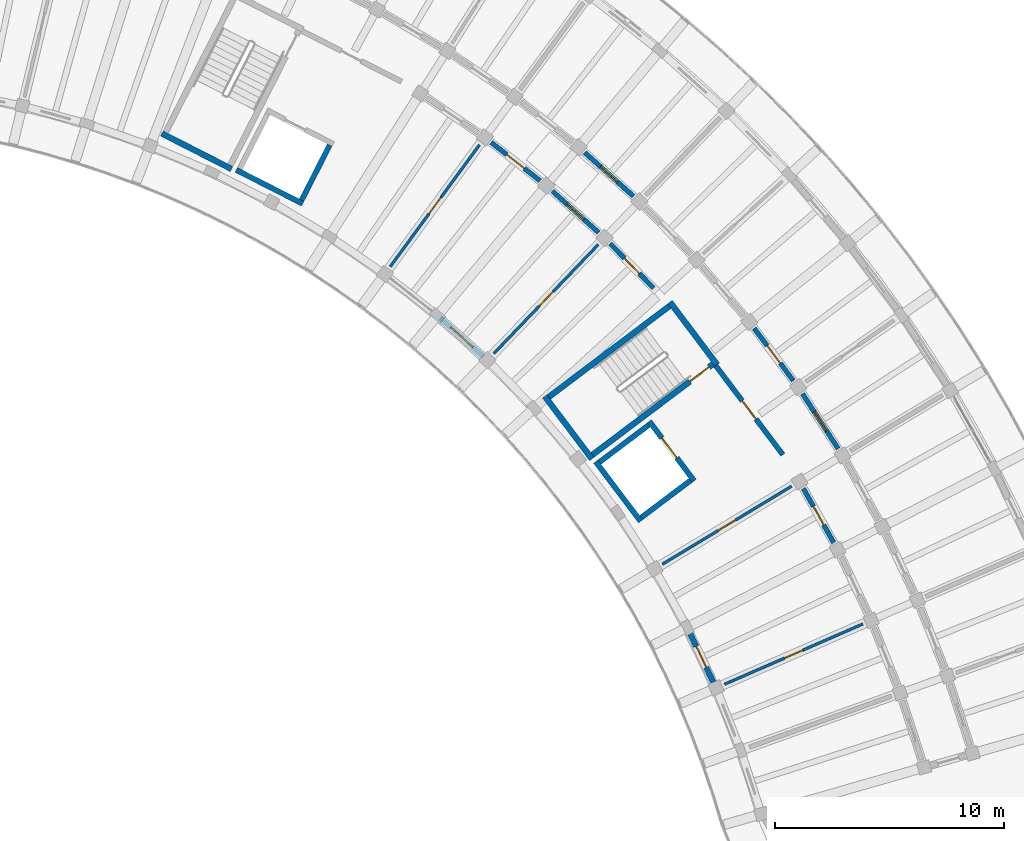
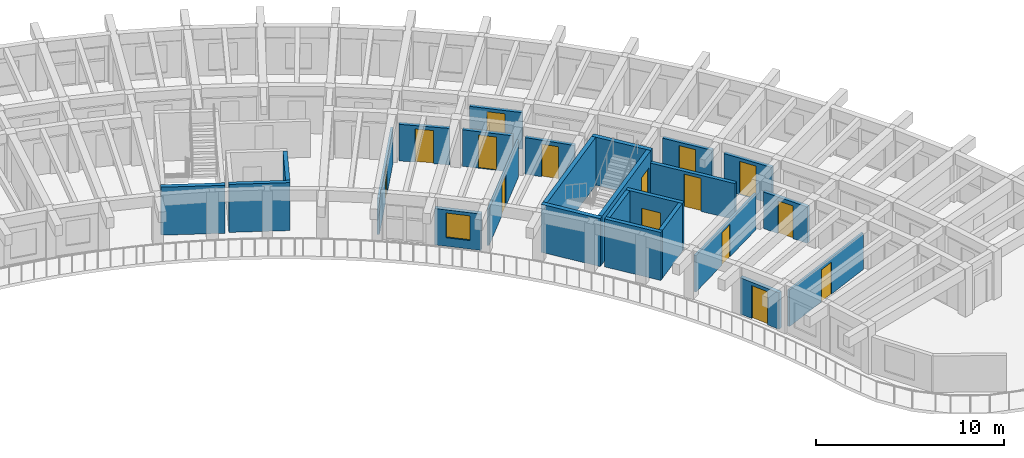
# One storey, part 70 of 96: 25 walls, 15 doors, 1 window, 16 openings.
"""IFC4 building model written with IfcOpenShell, lengths in metres."""

import ifcopenshell
import ifcopenshell.guid

model = None  # the IFC model being written
_history = None  # IfcOwnerHistory: only IFC2X3 demands one
_inside = {}  # id of a spatial element -> (the spatial element, [elements in it])
_under = {}  # id of a project, library or spatial element -> (it, [spatial elements below it])
_declared = {}  # id of a project -> (the project, [libraries it declares])
_typed = {}  # id of a type object -> (the type object, [elements of that type])
_made_of = {}  # id of a material, layer set ... -> (it, [elements and type objects made of it])


def new_model(schema):
    """Start an empty IFC model of exactly this schema.

    Asked for "IFC4X3", IfcOpenShell would pick the latest addendum, in which some entities
    have other attributes; the version numbers below select the first issue.
    IFC2X3 requires an IfcOwnerHistory on every rooted entity: one is made here for all.
    """
    global model, _history
    if schema == "IFC4X3":
        model = ifcopenshell.file(schema_version=(4, 3, 0, 0))
    else:
        model = ifcopenshell.file(schema=schema)
    _inside.clear()
    _under.clear()
    _declared.clear()
    _typed.clear()
    _made_of.clear()
    _history = None
    if model.schema == "IFC2X3":
        org = make("IfcOrganization", Name="unknown")
        user = make(
            "IfcPersonAndOrganization",
            ThePerson=make("IfcPerson", FamilyName="unknown"),
            TheOrganization=org,
        )
        app = make(
            "IfcApplication",
            ApplicationDeveloper=org,
            Version="unknown",
            ApplicationFullName="unknown",
            ApplicationIdentifier="unknown",
        )
        _history = make(
            "IfcOwnerHistory",
            OwningUser=user,
            OwningApplication=app,
            ChangeAction="ADDED",
            CreationDate=0,
        )
    return model


def make(cls, **values):
    """One entity of the class cls with the attributes given. An attribute that is None is left unset."""
    return model.create_entity(
        cls, **{name: value for name, value in values.items() if value is not None}
    )


def rooted(cls, **values):
    """An entity with a GlobalId (a new one), such as an element, a storey or a relation."""
    return make(cls, GlobalId=ifcopenshell.guid.new(), OwnerHistory=_history, **values)


def si_unit(unit_type, name, prefix=None):
    """IfcSIUnit, for example si_unit("LENGTHUNIT", "METRE", prefix="MILLI")."""
    return make("IfcSIUnit", UnitType=unit_type, Prefix=prefix, Name=name)


def assignment(units):
    """IfcUnitAssignment: the units of a project."""
    return None if units is None else make("IfcUnitAssignment", Units=units)


def point(xyz):
    """IfcCartesianPoint."""
    return None if xyz is None else make("IfcCartesianPoint", Coordinates=xyz)


def direction(xyz):
    """IfcDirection."""
    return None if xyz is None else make("IfcDirection", DirectionRatios=xyz)


def frame(location, z_axis=None, x_axis=None):
    """IfcAxis2Placement3D, a coordinate frame: its origin and axes. An axis left out is left unset."""
    return make(
        "IfcAxis2Placement3D",
        Location=point(location),
        Axis=direction(z_axis),
        RefDirection=direction(x_axis),
    )


def frame_2d(location, x_axis=None):
    """IfcAxis2Placement2D, a coordinate frame in the plane: its origin and x axis."""
    return make(
        "IfcAxis2Placement2D", Location=point(location), RefDirection=direction(x_axis)
    )


def origin():
    """The frame at (0, 0, 0) with its axes left unset."""
    return frame((0.0, 0.0, 0.0))


def place(relative_to, where):
    """IfcLocalPlacement: puts the frame where relative to a parent placement (None: the world)."""
    return make(
        "IfcLocalPlacement", PlacementRelTo=relative_to, RelativePlacement=where
    )


def context(
    kind, dimensions, precision=None, world=None, true_north=None, identifier=None
):
    """IfcGeometricRepresentationContext, for example the 3D "Model" context."""
    return make(
        "IfcGeometricRepresentationContext",
        ContextIdentifier=identifier,
        ContextType=kind,
        CoordinateSpaceDimension=dimensions,
        Precision=precision,
        WorldCoordinateSystem=world,
        TrueNorth=true_north,
    )


def subcontext(parent, identifier, kind, view, scale=None):
    """IfcGeometricRepresentationSubContext, for example "Body" below "Model"."""
    return make(
        "IfcGeometricRepresentationSubContext",
        ContextIdentifier=identifier,
        ContextType=kind,
        ParentContext=parent,
        TargetScale=scale,
        TargetView=view,
    )


def project(units=None, contexts=None):
    """IfcProject with its units and contexts."""
    return rooted(
        "IfcProject",
        Name="project",
        RepresentationContexts=contexts,
        UnitsInContext=assignment(units),
    )


def spatial(cls, under=None, at=None, **own):
    """A site, building, storey or space (cls), placed at a placement, below another one or the project."""
    s = rooted(cls, ObjectPlacement=at, **own)
    if under is not None:
        _under.setdefault(under.id(), (under, []))[1].append(s)
    return s


def profile(cls, at=None, kind="AREA", **sizes):
    """A parametric profile (cls). Its sizes go by their IFC names, for example OverallWidth=200.0."""
    return make(cls, ProfileType=kind, Position=at, **sizes)


def rectangle(**sizes):
    """IfcRectangleProfileDef."""
    return profile("IfcRectangleProfileDef", **sizes)


def extrude(swept, where, along, depth):
    """IfcExtrudedAreaSolid: the profile swept, set in the frame where, extruded along a direction by depth."""
    return make(
        "IfcExtrudedAreaSolid",
        SweptArea=swept,
        Position=where,
        ExtrudedDirection=direction(along),
        Depth=depth,
    )


def shape(context_of_items, identifier, shape_type, items):
    """IfcShapeRepresentation: the items that make up one representation, for example the "Body"."""
    return make(
        "IfcShapeRepresentation",
        ContextOfItems=context_of_items,
        RepresentationIdentifier=identifier,
        RepresentationType=shape_type,
        Items=items,
    )


def material(Name=None, Category=None):
    """IfcMaterial."""
    return make("IfcMaterial", Name=Name, Category=Category)


def layer(
    of_material, thickness, ventilated=None, Name=None, Category=None, Priority=None
):
    """IfcMaterialLayer: one layer of a wall or slab, of a material (None: an air gap)."""
    return make(
        "IfcMaterialLayer",
        Material=of_material,
        LayerThickness=thickness,
        IsVentilated=ventilated,
        Name=Name,
        Category=Category,
        Priority=Priority,
    )


def layer_set(layers, Name=None):
    """IfcMaterialLayerSet."""
    return make("IfcMaterialLayerSet", MaterialLayers=layers, LayerSetName=Name)


def made_of(thing, what):
    """Note that an element or type object is made of a material, layer set ...; save() writes the relation."""
    if what is not None:
        _made_of.setdefault(what.id(), (what, []))[1].append(thing)
    return thing


def type_object(cls, material=None, **own):
    """A type object (cls), such as IfcWallType, which elements share."""
    return made_of(rooted(cls, **own), material)


def element(
    cls,
    number,
    at=None,
    inside=None,
    cuts=None,
    type_object=None,
    material=None,
    context=None,
    identifier="Body",
    shape_type=None,
    held_by="IfcProductDefinitionShape",
    body=None,
    shapes=None,
    **own,
):
    """One element of the class cls, such as IfcWall. Its Tag is "e" and its number.

    at: its placement. inside: the storey or other place that contains it. cuts: it is an
    opening in that element (IfcRelVoidsElement). A single representation is given by context,
    identifier, shape_type and body (its items); several are given by shapes. held_by: the class
    of the entity that holds the representations. save() writes the other relations.
    """
    e = rooted(cls, Tag="e%d" % number, ObjectPlacement=at, **own)
    if body is not None:
        shapes = [shape(context, identifier, shape_type, body)]
    if shapes is not None:
        e.Representation = make(held_by, Representations=shapes)
    if inside is not None:
        _inside.setdefault(inside.id(), (inside, []))[1].append(e)
    if cuts is not None:
        rooted(
            "IfcRelVoidsElement", RelatingBuildingElement=cuts, RelatedOpeningElement=e
        )
    if type_object is not None:
        _typed.setdefault(type_object.id(), (type_object, []))[1].append(e)
    return made_of(e, material)


def fill(opening, filler):
    """IfcRelFillsElement: the door or window that sits in an opening."""
    return rooted(
        "IfcRelFillsElement",
        RelatingOpeningElement=opening,
        RelatedBuildingElement=filler,
    )


def aggregate(whole, parts):
    """IfcRelAggregates: a whole, such as a stair, and the parts it consists of."""
    return rooted("IfcRelAggregates", RelatingObject=whole, RelatedObjects=parts)


def save(model, path):
    """Write the relations noted so far, then the file.

    IfcRelAggregates (storeys below a building ...), IfcRelContainedInSpatialStructure (elements
    in a storey), IfcRelDefinesByType, IfcRelAssociatesMaterial and IfcRelDeclares: one each for
    every whole, place, type object, material and project.
    """
    for whole, parts in _under.values():
        aggregate(whole, parts)
    for where, things in _inside.values():
        rooted(
            "IfcRelContainedInSpatialStructure",
            RelatedElements=things,
            RelatingStructure=where,
        )
    for kind, things in _typed.values():
        rooted("IfcRelDefinesByType", RelatedObjects=things, RelatingType=kind)
    for what, things in _made_of.values():
        rooted("IfcRelAssociatesMaterial", RelatedObjects=things, RelatingMaterial=what)
    for by, libraries in _declared.values():
        rooted("IfcRelDeclares", RelatingContext=by, RelatedDefinitions=libraries)
    model.write(path)


model = new_model("IFC4")

# Units and contexts
model_context = context("Model", 3, precision=1e-05, world=origin(), true_north=direction((0.0, 1.0)))
body_context = subcontext(model_context, "Body", "Model", "MODEL_VIEW")
ifc_project = project(units=[si_unit("LENGTHUNIT", "METRE"), si_unit("AREAUNIT", "SQUARE_METRE"), si_unit("VOLUMEUNIT", "CUBIC_METRE"), si_unit("PLANEANGLEUNIT", "RADIAN"), si_unit("MASSUNIT", "GRAM", prefix="KILO")], contexts=[model_context])

# Site, building, storey
site_placement = place(None, origin())
site = spatial("IfcSite", under=ifc_project, at=site_placement, CompositionType="ELEMENT")
building_placement = place(site_placement, origin())
building = spatial("IfcBuilding", under=site, at=building_placement, Name="Tanwirah Colonnade Gardens", CompositionType="ELEMENT")
storey_placement = place(building_placement, frame((0.0, 0.0, 12.199951171875)))
storey = spatial("IfcBuildingStorey", under=building, at=storey_placement, Name="L03", CompositionType="ELEMENT", Elevation=12.199951171875)

# Wall, opening, door
ifc_material_1 = material(Name="Limestone architectural precast concrete C40/50", Category="masonry")
ifc_layer_1 = layer(ifc_material_1, 0.239990234375)
ifc_layer_set_1 = layer_set([ifc_layer_1], Name="Limestone architectural precast concrete C40/50")
wall_type_1 = type_object("IfcWallType", Name="EW-PC240", PredefinedType="SOLIDWALL", material=ifc_layer_set_1)
wall_1_placement = place(storey_placement, frame((161.640869140625, 78.18505859375, 0.0), z_axis=(0.0, 0.0, 1.0), x_axis=(-0.429610836066, 0.903014135844, 0.0)))
wall_1 = element("IfcWall", 1, at=wall_1_placement, inside=storey, type_object=wall_type_1, Name="Block B L03 IN Precast Facade Wall 2", PredefinedType="SOLIDWALL", context=body_context, shape_type="SweptSolid", body=[
    extrude(rectangle(XDim=2.525390625, YDim=0.239990234375, at=frame_2d((1.2626953125, 0.0))), origin(), (0.0, 0.0, 1.0), 2.35498046875),
])
opening_1_placement = place(wall_1_placement, frame((0.752685546875, 0.0, 0.0)))
opening_1 = element("IfcOpeningElement", 2, at=opening_1_placement, cuts=wall_1, Name="Opening L03-ED081", PredefinedType="OPENING", context=body_context, shape_type="SweptSolid", body=[
    extrude(rectangle(XDim=1.02001953125, YDim=2.139892578125, at=frame_2d((0.510009765625, 1.06982421875))), frame((0.0, 0.1298828125, 0.0), z_axis=(0.0, -1.0, 0.0), x_axis=(1.0, 0.0, 0.0)), (0.0, 0.0, 1.0), 0.260009765625),
])
ifc_material_2 = material(Name="Bronze aluminium glazed balcony door", Category="aluminium")
door_type_1 = type_object("IfcDoorType", Name="ED-BAL102", OperationType="NOTDEFINED", PredefinedType="DOOR", material=ifc_material_2)
door_1_placement = place(opening_1_placement, origin())
door_1 = element("IfcDoor", 3, at=door_1_placement, inside=storey, type_object=door_type_1, Name="Balcony glazed door L03-ED081", OperationType="SINGLE_SWING_RIGHT", OverallHeight=2.139892578125, OverallWidth=1.02001953125, PredefinedType="DOOR", context=body_context, shape_type="SweptSolid", body=[
    extrude(rectangle(XDim=1.02001953125, YDim=2.139892578125, at=frame_2d((0.510009765625, 1.06982421875))), frame((0.0, 0.02490234375, 0.0), z_axis=(0.0, -1.0, 0.0), x_axis=(1.0, 0.0, 0.0)), (0.0, 0.0, 1.0), 0.050048828125),
])
fill(opening_1, door_1)

# Wall, opening, window
wall_2_placement = place(storey_placement, frame((151.571044921875, 92.457763671875, 0.0), z_axis=(0.0, 0.0, 1.0), x_axis=(-0.744489903584, 0.667633719536, 0.0)))
wall_2 = element("IfcWall", 4, at=wall_2_placement, inside=storey, type_object=wall_type_1, Name="Block B L03 IN Precast Facade Wall 8", PredefinedType="SOLIDWALL", context=body_context, shape_type="SweptSolid", body=[
    extrude(rectangle(XDim=2.525390625, YDim=0.239990234375, at=frame_2d((1.2626953125, 0.0))), origin(), (0.0, 0.0, 1.0), 2.35498046875),
])
opening_2_placement = place(wall_2_placement, frame((0.612548828125, 0.0, 0.550048828125)))
opening_2 = element("IfcOpeningElement", 5, at=opening_2_placement, cuts=wall_2, Name="Opening WIN-T04", PredefinedType="OPENING", context=body_context, shape_type="SweptSolid", body=[
    extrude(rectangle(XDim=1.300048828125, YDim=1.60009765625, at=frame_2d((0.64990234375, 0.800048828125))), frame((0.0, 0.1298828125, 0.0), z_axis=(0.0, -1.0, 0.0), x_axis=(1.0, 0.0, 0.0)), (0.0, 0.0, 1.0), 0.260009765625),
])
ifc_material_3 = material(Name="Thermally broken bronze aluminium and solar low-E double glazing", Category="aluminium")
window_type = type_object("IfcWindowType", Name="WIN-T04", PartitioningType="DOUBLE_PANEL_VERTICAL", PredefinedType="WINDOW", material=ifc_material_3)
window_placement = place(opening_2_placement, origin())
window = element("IfcWindow", 6, at=window_placement, inside=storey, type_object=window_type, Name="Facade window B-L03-IN-08", OverallHeight=1.60009765625, OverallWidth=1.300048828125, PartitioningType="SINGLE_PANEL", PredefinedType="WINDOW", context=body_context, shape_type="SweptSolid", body=[
    extrude(rectangle(XDim=1.300048828125, YDim=1.60009765625, at=frame_2d((0.64990234375, 0.800048828125))), frame((0.0, 0.030029296875, 0.0), z_axis=(0.0, -1.0, 0.0), x_axis=(1.0, 0.0, 0.0)), (0.0, 0.0, 1.0), 0.06005859375),
])
fill(opening_2, window)

# Wall, opening, door
ifc_material_4 = material(Name="Precast concrete C40/50", Category="concrete")
ifc_layer_2 = layer(ifc_material_4, 0.205078125)
ifc_layer_set_2 = layer_set([ifc_layer_2], Name="Precast concrete C40/50")
wall_type_2 = type_object("IfcWallType", Name="IW-CORR205", PredefinedType="PARTITIONING", material=ifc_layer_set_2)
wall_3_placement = place(storey_placement, frame((166.89013671875, 84.313232421875, 0.0), z_axis=(0.0, 0.0, 1.0), x_axis=(-0.48819576874, 0.872734147025, 0.0)))
wall_3 = element("IfcWall", 7, at=wall_3_placement, inside=storey, type_object=wall_type_2, Name="Block B L03 IN Corridor Wall 3", PredefinedType="PARTITIONING", context=body_context, shape_type="SweptSolid", body=[
    extrude(rectangle(XDim=2.718017578125, YDim=0.205078125, at=frame_2d((1.35888671875, 0.0))), origin(), (0.0, 0.0, 1.0), 2.3701171875),
])
opening_3_placement = place(wall_3_placement, frame((0.89404296875, 0.0, 0.0)))
opening_3 = element("IfcOpeningElement", 8, at=opening_3_placement, cuts=wall_3, Name="Opening L03-AD926", PredefinedType="OPENING", context=body_context, shape_type="SweptSolid", body=[
    extrude(rectangle(XDim=0.929931640625, YDim=2.1201171875, at=frame_2d((0.46484375, 1.06005859375))), frame((0.0, 0.112548828125, 0.0), z_axis=(0.0, -1.0, 0.0), x_axis=(1.0, 0.0, 0.0)), (0.0, 0.0, 1.0), 0.22509765625),
])
ifc_material_5 = material(Name="Solid oak fire-resisting apartment entrance door")
door_type_2 = type_object("IfcDoorType", Name="ID-FLT093", OperationType="NOTDEFINED", PredefinedType="DOOR", material=ifc_material_5)
door_2_placement = place(opening_3_placement, origin())
door_2 = element("IfcDoor", 9, at=door_2_placement, inside=storey, type_object=door_type_2, Name="Apartment corridor door L03-AD926", OperationType="SINGLE_SWING_RIGHT", OverallHeight=2.1201171875, OverallWidth=0.929931640625, PredefinedType="DOOR", context=body_context, shape_type="SweptSolid", body=[
    extrude(rectangle(XDim=0.929931640625, YDim=2.1201171875, at=frame_2d((0.46484375, 1.06005859375))), frame((0.0, 0.02490234375, 0.0), z_axis=(0.0, -1.0, 0.0), x_axis=(1.0, 0.0, 0.0)), (0.0, 0.0, 1.0), 0.050048828125),
])
fill(opening_3, door_2)

wall_4_placement = place(storey_placement, frame((167.085205078125, 88.421142578125, 0.0), z_axis=(0.0, 0.0, 1.0), x_axis=(-0.544643612649, 0.838667595178, 0.0)))
wall_4 = element("IfcWall", 10, at=wall_4_placement, inside=storey, type_object=wall_type_2, Name="Block B L03 OUT Corridor Wall 4", PredefinedType="PARTITIONING", context=body_context, shape_type="SweptSolid", body=[
    extrude(rectangle(XDim=2.863037109375, YDim=0.205078125, at=frame_2d((1.431640625, 0.0))), origin(), (0.0, 0.0, 1.0), 2.3701171875),
])
opening_4_placement = place(wall_4_placement, frame((0.9365234375, 0.0, 0.0)))
opening_4 = element("IfcOpeningElement", 11, at=opening_4_placement, cuts=wall_4, Name="Opening L03-AD928", PredefinedType="OPENING", context=body_context, shape_type="SweptSolid", body=[
    extrude(rectangle(XDim=0.989990234375, YDim=2.159912109375, at=frame_2d((0.4951171875, 1.080078125))), frame((0.0, 0.112548828125, 0.0), z_axis=(0.0, -1.0, 0.0), x_axis=(1.0, 0.0, 0.0)), (0.0, 0.0, 1.0), 0.22509765625),
])
door_type_3 = type_object("IfcDoorType", Name="ID-FLT099", OperationType="NOTDEFINED", PredefinedType="DOOR", material=ifc_material_5)
door_3_placement = place(opening_4_placement, origin())
door_3 = element("IfcDoor", 12, at=door_3_placement, inside=storey, type_object=door_type_3, Name="Apartment corridor door L03-AD928", OperationType="SINGLE_SWING_RIGHT", OverallHeight=2.159912109375, OverallWidth=0.989990234375, PredefinedType="DOOR", context=body_context, shape_type="SweptSolid", body=[
    extrude(rectangle(XDim=0.989990234375, YDim=2.159912109375, at=frame_2d((0.4951171875, 1.080078125))), frame((0.0, 0.02490234375, 0.0), z_axis=(0.0, -1.0, 0.0), x_axis=(1.0, 0.0, 0.0)), (0.0, 0.0, 1.0), 0.050048828125),
])
fill(opening_4, door_3)

wall_5_placement = place(storey_placement, frame((165.125732421875, 91.396240234375, 0.0), z_axis=(0.0, 0.0, 1.0), x_axis=(-0.598757763243, 0.800930172335, 0.0)))
wall_5 = element("IfcWall", 13, at=wall_5_placement, inside=storey, type_object=wall_type_2, Name="Block B L03 OUT Corridor Wall 5", PredefinedType="PARTITIONING", context=body_context, shape_type="SweptSolid", body=[
    extrude(rectangle(XDim=2.86328125, YDim=0.205078125, at=frame_2d((1.431640625, 0.0))), origin(), (0.0, 0.0, 1.0), 2.3701171875),
])
opening_5_placement = place(wall_5_placement, frame((0.946533203125, 0.0, 0.0)))
opening_5 = element("IfcOpeningElement", 14, at=opening_5_placement, cuts=wall_5, Name="Opening L03-AD930", PredefinedType="OPENING", context=body_context, shape_type="SweptSolid", body=[
    extrude(rectangle(XDim=0.969970703125, YDim=2.14990234375, at=frame_2d((0.48486328125, 1.074951171875))), frame((0.0, 0.112548828125, 0.0), z_axis=(0.0, -1.0, 0.0), x_axis=(1.0, 0.0, 0.0)), (0.0, 0.0, 1.0), 0.22509765625),
])
door_type_4 = type_object("IfcDoorType", Name="ID-FLT097", OperationType="NOTDEFINED", PredefinedType="DOOR", material=ifc_material_5)
door_4_placement = place(opening_5_placement, origin())
door_4 = element("IfcDoor", 15, at=door_4_placement, inside=storey, type_object=door_type_4, Name="Apartment corridor door L03-AD930", OperationType="SINGLE_SWING_LEFT", OverallHeight=2.14990234375, OverallWidth=0.969970703125, PredefinedType="DOOR", context=body_context, shape_type="SweptSolid", body=[
    extrude(rectangle(XDim=0.969970703125, YDim=2.14990234375, at=frame_2d((0.48486328125, 1.074951171875))), frame((0.0, 0.02490234375, 0.0), z_axis=(0.0, -1.0, 0.0), x_axis=(1.0, 0.0, 0.0)), (0.0, 0.0, 1.0), 0.050048828125),
])
fill(opening_5, door_4)

wall_6_placement = place(storey_placement, frame((159.01708984375, 95.442626953125, 0.0), z_axis=(0.0, 0.0, 1.0), x_axis=(-0.698840007829, 0.715278018296, 0.0)))
wall_6 = element("IfcWall", 16, at=wall_6_placement, inside=storey, type_object=wall_type_2, Name="Block B L03 IN Corridor Wall 7", PredefinedType="PARTITIONING", context=body_context, shape_type="SweptSolid", body=[
    extrude(rectangle(XDim=2.718017578125, YDim=0.205078125, at=frame_2d((1.35888671875, 0.0))), origin(), (0.0, 0.0, 1.0), 2.3701171875),
])
opening_6_placement = place(wall_6_placement, frame((0.89404296875, 0.0, 0.0)))
opening_6 = element("IfcOpeningElement", 17, at=opening_6_placement, cuts=wall_6, Name="Opening L03-AD934", PredefinedType="OPENING", context=body_context, shape_type="SweptSolid", body=[
    extrude(rectangle(XDim=0.929931640625, YDim=2.1201171875, at=frame_2d((0.46484375, 1.06005859375))), frame((0.0, 0.112548828125, 0.0), z_axis=(0.0, -1.0, 0.0), x_axis=(1.0, 0.0, 0.0)), (0.0, 0.0, 1.0), 0.22509765625),
])
door_5_placement = place(opening_6_placement, origin())
door_5 = element("IfcDoor", 18, at=door_5_placement, inside=storey, type_object=door_type_2, Name="Apartment corridor door L03-AD934", OperationType="SINGLE_SWING_RIGHT", OverallHeight=2.1201171875, OverallWidth=0.929931640625, PredefinedType="DOOR", context=body_context, shape_type="SweptSolid", body=[
    extrude(rectangle(XDim=0.929931640625, YDim=2.1201171875, at=frame_2d((0.46484375, 1.06005859375))), frame((0.0, 0.02490234375, 0.0), z_axis=(0.0, -1.0, 0.0), x_axis=(1.0, 0.0, 0.0)), (0.0, 0.0, 1.0), 0.050048828125),
])
fill(opening_6, door_5)

wall_7_placement = place(storey_placement, frame((158.134765625, 99.459228515625, 0.0), z_axis=(0.0, 0.0, 1.0), x_axis=(-0.744433521088, 0.667696587291, 0.0)))
wall_7 = element("IfcWall", 19, at=wall_7_placement, inside=storey, type_object=wall_type_2, Name="Block B L03 OUT Corridor Wall 8", PredefinedType="PARTITIONING", context=body_context, shape_type="SweptSolid", body=[
    extrude(rectangle(XDim=2.86328125, YDim=0.205078125, at=frame_2d((1.431640625, 0.0))), origin(), (0.0, 0.0, 1.0), 2.3701171875),
])
opening_7_placement = place(wall_7_placement, frame((0.9365234375, 0.0, 0.0)))
opening_7 = element("IfcOpeningElement", 20, at=opening_7_placement, cuts=wall_7, Name="Opening L03-AD936", PredefinedType="OPENING", context=body_context, shape_type="SweptSolid", body=[
    extrude(rectangle(XDim=0.989990234375, YDim=2.159912109375, at=frame_2d((0.4951171875, 1.080078125))), frame((0.0, 0.112548828125, 0.0), z_axis=(0.0, -1.0, 0.0), x_axis=(1.0, 0.0, 0.0)), (0.0, 0.0, 1.0), 0.22509765625),
])
door_6_placement = place(opening_7_placement, origin())
door_6 = element("IfcDoor", 21, at=door_6_placement, inside=storey, type_object=door_type_3, Name="Apartment corridor door L03-AD936", OperationType="SINGLE_SWING_RIGHT", OverallHeight=2.159912109375, OverallWidth=0.989990234375, PredefinedType="DOOR", context=body_context, shape_type="SweptSolid", body=[
    extrude(rectangle(XDim=0.989990234375, YDim=2.159912109375, at=frame_2d((0.4951171875, 1.080078125))), frame((0.0, 0.02490234375, 0.0), z_axis=(0.0, -1.0, 0.0), x_axis=(1.0, 0.0, 0.0)), (0.0, 0.0, 1.0), 0.050048828125),
])
fill(opening_7, door_6)

wall_8_placement = place(storey_placement, frame((156.612548828125, 97.870849609375, 0.0), z_axis=(0.0, 0.0, 1.0), x_axis=(-0.744418559135, 0.667713268413, 0.0)))
wall_8 = element("IfcWall", 22, at=wall_8_placement, inside=storey, type_object=wall_type_2, Name="Block B L03 IN Corridor Wall 8", PredefinedType="PARTITIONING", context=body_context, shape_type="SweptSolid", body=[
    extrude(rectangle(XDim=2.71826171875, YDim=0.205078125, at=frame_2d((1.359130859375, 0.0))), origin(), (0.0, 0.0, 1.0), 2.3701171875),
])
opening_8_placement = place(wall_8_placement, frame((0.864013671875, 0.0, 0.0)))
opening_8 = element("IfcOpeningElement", 23, at=opening_8_placement, cuts=wall_8, Name="Opening L03-AD937", PredefinedType="OPENING", context=body_context, shape_type="SweptSolid", body=[
    extrude(rectangle(XDim=0.989990234375, YDim=2.159912109375, at=frame_2d((0.4951171875, 1.080078125))), frame((0.0, 0.112548828125, 0.0), z_axis=(0.0, -1.0, 0.0), x_axis=(1.0, 0.0, 0.0)), (0.0, 0.0, 1.0), 0.22509765625),
])
door_7_placement = place(opening_8_placement, origin())
door_7 = element("IfcDoor", 24, at=door_7_placement, inside=storey, type_object=door_type_3, Name="Apartment corridor door L03-AD937", OperationType="SINGLE_SWING_LEFT", OverallHeight=2.159912109375, OverallWidth=0.989990234375, PredefinedType="DOOR", context=body_context, shape_type="SweptSolid", body=[
    extrude(rectangle(XDim=0.989990234375, YDim=2.159912109375, at=frame_2d((0.4951171875, 1.080078125))), frame((0.0, 0.02490234375, 0.0), z_axis=(0.0, -1.0, 0.0), x_axis=(1.0, 0.0, 0.0)), (0.0, 0.0, 1.0), 0.050048828125),
])
fill(opening_8, door_7)

wall_9_placement = place(storey_placement, frame((154.05322265625, 100.135498046875, 0.0), z_axis=(0.0, 0.0, 1.0), x_axis=(-0.786835457019, 0.617162833924, 0.0)))
wall_9 = element("IfcWall", 25, at=wall_9_placement, inside=storey, type_object=wall_type_2, Name="Block B L03 IN Corridor Wall 9", PredefinedType="PARTITIONING", context=body_context, shape_type="SweptSolid", body=[
    extrude(rectangle(XDim=2.718017578125, YDim=0.205078125, at=frame_2d((1.35888671875, 0.0))), origin(), (0.0, 0.0, 1.0), 2.3701171875),
])
opening_9_placement = place(wall_9_placement, frame((0.8740234375, 0.0, 0.0)))
opening_9 = element("IfcOpeningElement", 26, at=opening_9_placement, cuts=wall_9, Name="Opening L03-AD939", PredefinedType="OPENING", context=body_context, shape_type="SweptSolid", body=[
    extrude(rectangle(XDim=0.969970703125, YDim=2.14990234375, at=frame_2d((0.48486328125, 1.074951171875))), frame((0.0, 0.112548828125, 0.0), z_axis=(0.0, -1.0, 0.0), x_axis=(1.0, 0.0, 0.0)), (0.0, 0.0, 1.0), 0.22509765625),
])
door_8_placement = place(opening_9_placement, origin())
door_8 = element("IfcDoor", 27, at=door_8_placement, inside=storey, type_object=door_type_4, Name="Apartment corridor door L03-AD939", OperationType="SINGLE_SWING_RIGHT", OverallHeight=2.14990234375, OverallWidth=0.969970703125, PredefinedType="DOOR", context=body_context, shape_type="SweptSolid", body=[
    extrude(rectangle(XDim=0.969970703125, YDim=2.14990234375, at=frame_2d((0.48486328125, 1.074951171875))), frame((0.0, 0.02490234375, 0.0), z_axis=(0.0, -1.0, 0.0), x_axis=(1.0, 0.0, 0.0)), (0.0, 0.0, 1.0), 0.050048828125),
])
fill(opening_9, door_8)

ifc_material_6 = material(Name="Autoclaved aerated masonry blockwork", Category="masonry")
ifc_layer_3 = layer(ifc_material_6, 0.219970703125)
ifc_layer_set_3 = layer_set([ifc_layer_3], Name="Autoclaved aerated masonry blockwork")
wall_type_3 = type_object("IfcWallType", Name="IW-FFL220", PredefinedType="PARTITIONING", material=ifc_layer_set_3)
wall_10_placement = place(storey_placement, frame((161.7177734375, 92.072509765625, 0.0), z_axis=(0.0, 0.0, 1.0), x_axis=(0.601792209296, -0.79865270101, 0.0)))
wall_10 = element("IfcWall", 28, at=wall_10_placement, inside=storey, type_object=wall_type_3, Name="CORE-B1 L03 Enclosed Lobby Fire Wall", PredefinedType="PARTITIONING", context=body_context, shape_type="SweptSolid", body=[
    extrude(rectangle(XDim=4.89990234375, YDim=0.219970703125, at=frame_2d((2.449951171875, 0.0))), origin(), (0.0, 0.0, 1.0), 2.340087890625),
])
opening_10_placement = place(wall_10_placement, frame((1.949951171875, 0.0, 0.0)))
opening_10 = element("IfcOpeningElement", 29, at=opening_10_placement, cuts=wall_10, Name="Opening L03-LD083", PredefinedType="OPENING", context=body_context, shape_type="SweptSolid", body=[
    extrude(rectangle(XDim=1.0, YDim=2.14990234375, at=frame_2d((0.5, 1.074951171875))), frame((0.0, 0.119873046875, 0.0), z_axis=(0.0, -1.0, 0.0), x_axis=(1.0, 0.0, 0.0)), (0.0, 0.0, 1.0), 0.239990234375),
])
ifc_material_7 = material(Name="Acoustic fire-resisting lobby door")
door_type_5 = type_object("IfcDoorType", Name="ID-FFL100", OperationType="NOTDEFINED", PredefinedType="DOOR", material=ifc_material_7)
door_9_placement = place(opening_10_placement, origin())
door_9 = element("IfcDoor", 30, at=door_9_placement, inside=storey, type_object=door_type_5, Name="CORE-B1 L03 Lobby Fire Door L03-LD083", OperationType="SINGLE_SWING_RIGHT", OverallHeight=2.14990234375, OverallWidth=1.0, PredefinedType="DOOR", context=body_context, shape_type="SweptSolid", body=[
    extrude(rectangle(XDim=1.0, YDim=2.14990234375, at=frame_2d((0.5, 1.074951171875))), frame((0.0, 0.02490234375, 0.0), z_axis=(0.0, -1.0, 0.0), x_axis=(1.0, 0.0, 0.0)), (0.0, 0.0, 1.0), 0.050048828125),
])
fill(opening_10, door_9)

ifc_material_8 = material(Name="Moisture-resistant gypsum stud partition")
ifc_layer_4 = layer(ifc_material_8, 0.125)
ifc_layer_set_4 = layer_set([ifc_layer_4], Name="Moisture-resistant gypsum stud partition")
wall_type_4 = type_object("IfcWallType", Name="IW-INT125", PredefinedType="PARTITIONING", material=ifc_layer_set_4)
wall_11_placement = place(storey_placement, frame((162.11279296875, 78.123779296875, 0.0), z_axis=(0.0, 0.0, 1.0), x_axis=(0.916668515796, 0.399648385645, 0.0)))
wall_11 = element("IfcWall", 31, at=wall_11_placement, inside=storey, type_object=wall_type_4, Name="Block B L03 Inner Radial Partition 1", PredefinedType="PARTITIONING", context=body_context, shape_type="SweptSolid", body=[
    extrude(rectangle(XDim=6.60009765625, YDim=0.125, at=frame_2d((3.300048828125, 0.0))), origin(), (0.0, 0.0, 1.0), 2.3701171875),
])
opening_11_placement = place(wall_11_placement, frame((2.864990234375, 0.0, 0.0)))
opening_11 = element("IfcOpeningElement", 32, at=opening_11_placement, cuts=wall_11, Name="Opening L03-RD922", PredefinedType="OPENING", context=body_context, shape_type="SweptSolid", body=[
    extrude(rectangle(XDim=0.8701171875, YDim=2.080078125, at=frame_2d((0.43505859375, 1.0400390625))), frame((0.0, 0.072509765625, 0.0), z_axis=(0.0, -1.0, 0.0), x_axis=(1.0, 0.0, 0.0)), (0.0, 0.0, 1.0), 0.14501953125),
])
ifc_material_9 = material(Name="Painted hardwood study door", Category="wood")
door_type_6 = type_object("IfcDoorType", Name="ID-RM087", OperationType="NOTDEFINED", PredefinedType="DOOR", material=ifc_material_9)
door_10_placement = place(opening_11_placement, origin())
door_10 = element("IfcDoor", 33, at=door_10_placement, inside=storey, type_object=door_type_6, Name="Internal apartment door L03-RD922", OperationType="SINGLE_SWING_RIGHT", OverallHeight=2.080078125, OverallWidth=0.8701171875, PredefinedType="DOOR", context=body_context, shape_type="SweptSolid", body=[
    extrude(rectangle(XDim=0.8701171875, YDim=2.080078125, at=frame_2d((0.43505859375, 1.0400390625))), frame((0.0, 0.02490234375, 0.0), z_axis=(0.0, -1.0, 0.0), x_axis=(1.0, 0.0, 0.0)), (0.0, 0.0, 1.0), 0.050048828125),
])
fill(opening_11, door_10)

wall_12_placement = place(storey_placement, frame((159.399169921875, 83.3740234375, 0.0), z_axis=(0.0, 0.0, 1.0), x_axis=(0.85616819337, 0.516697227263, 0.0)))
wall_12 = element("IfcWall", 34, at=wall_12_placement, inside=storey, type_object=wall_type_4, Name="Block B L03 Inner Radial Partition 3", PredefinedType="PARTITIONING", context=body_context, shape_type="SweptSolid", body=[
    extrude(rectangle(XDim=6.599853515625, YDim=0.125, at=frame_2d((3.2998046875, 0.0))), origin(), (0.0, 0.0, 1.0), 2.3701171875),
])
opening_12_placement = place(wall_12_placement, frame((2.85498046875, 0.0, 0.0)))
opening_12 = element("IfcOpeningElement", 35, at=opening_12_placement, cuts=wall_12, Name="Opening L03-RD927", PredefinedType="OPENING", context=body_context, shape_type="SweptSolid", body=[
    extrude(rectangle(XDim=0.889892578125, YDim=2.10009765625, at=frame_2d((0.44482421875, 1.050048828125))), frame((0.0, 0.072509765625, 0.0), z_axis=(0.0, -1.0, 0.0), x_axis=(1.0, 0.0, 0.0)), (0.0, 0.0, 1.0), 0.14501953125),
])
ifc_material_10 = material(Name="Painted hardwood bedroom door", Category="wood")
door_type_7 = type_object("IfcDoorType", Name="ID-RM089", OperationType="NOTDEFINED", PredefinedType="DOOR", material=ifc_material_10)
door_11_placement = place(opening_12_placement, origin())
door_11 = element("IfcDoor", 36, at=door_11_placement, inside=storey, type_object=door_type_7, Name="Internal apartment door L03-RD927", OperationType="SINGLE_SWING_RIGHT", OverallHeight=2.10009765625, OverallWidth=0.889892578125, PredefinedType="DOOR", context=body_context, shape_type="SweptSolid", body=[
    extrude(rectangle(XDim=0.889892578125, YDim=2.10009765625, at=frame_2d((0.44482421875, 1.050048828125))), frame((0.0, 0.02490234375, 0.0), z_axis=(0.0, -1.0, 0.0), x_axis=(1.0, 0.0, 0.0)), (0.0, 0.0, 1.0), 0.050048828125),
])
fill(opening_12, door_11)

wall_13_placement = place(storey_placement, frame((152.030029296875, 92.5830078125, 0.0), z_axis=(0.0, 0.0, 1.0), x_axis=(0.691872422458, 0.722019771919, 0.0)))
wall_13 = element("IfcWall", 37, at=wall_13_placement, inside=storey, type_object=wall_type_4, Name="Block B L03 Inner Radial Partition 7", PredefinedType="PARTITIONING", context=body_context, shape_type="SweptSolid", body=[
    extrude(rectangle(XDim=6.60009765625, YDim=0.125, at=frame_2d((3.300048828125, 0.0))), origin(), (0.0, 0.0, 1.0), 2.3701171875),
])
opening_13_placement = place(wall_13_placement, frame((2.864990234375, 0.0, 0.0)))
opening_13 = element("IfcOpeningElement", 38, at=opening_13_placement, cuts=wall_13, Name="Opening L03-RD935", PredefinedType="OPENING", context=body_context, shape_type="SweptSolid", body=[
    extrude(rectangle(XDim=0.8701171875, YDim=2.080078125, at=frame_2d((0.43505859375, 1.0400390625))), frame((0.0, 0.072509765625, 0.0), z_axis=(0.0, -1.0, 0.0), x_axis=(1.0, 0.0, 0.0)), (0.0, 0.0, 1.0), 0.14501953125),
])
door_12_placement = place(opening_13_placement, origin())
door_12 = element("IfcDoor", 39, at=door_12_placement, inside=storey, type_object=door_type_6, Name="Internal apartment door L03-RD935", OperationType="SINGLE_SWING_RIGHT", OverallHeight=2.080078125, OverallWidth=0.8701171875, PredefinedType="DOOR", context=body_context, shape_type="SweptSolid", body=[
    extrude(rectangle(XDim=0.8701171875, YDim=2.080078125, at=frame_2d((0.43505859375, 1.0400390625))), frame((0.0, 0.02490234375, 0.0), z_axis=(0.0, -1.0, 0.0), x_axis=(1.0, 0.0, 0.0)), (0.0, 0.0, 1.0), 0.050048828125),
])
fill(opening_13, door_12)

wall_14_placement = place(storey_placement, frame((147.502685546875, 96.3818359375, 0.0), z_axis=(0.0, 0.0, 1.0), x_axis=(0.590924179316, 0.806727100263, 0.0)))
wall_14 = element("IfcWall", 40, at=wall_14_placement, inside=storey, type_object=wall_type_4, Name="Block B L03 Inner Radial Partition 9", PredefinedType="PARTITIONING", context=body_context, shape_type="SweptSolid", body=[
    extrude(rectangle(XDim=6.60009765625, YDim=0.125, at=frame_2d((3.300048828125, 0.0))), origin(), (0.0, 0.0, 1.0), 2.3701171875),
])
opening_14_placement = place(wall_14_placement, frame((2.85498046875, 0.0, 0.0)))
opening_14 = element("IfcOpeningElement", 41, at=opening_14_placement, cuts=wall_14, Name="Opening L03-RD940", PredefinedType="OPENING", context=body_context, shape_type="SweptSolid", body=[
    extrude(rectangle(XDim=0.889892578125, YDim=2.10009765625, at=frame_2d((0.44482421875, 1.050048828125))), frame((0.0, 0.072509765625, 0.0), z_axis=(0.0, -1.0, 0.0), x_axis=(1.0, 0.0, 0.0)), (0.0, 0.0, 1.0), 0.14501953125),
])
door_13_placement = place(opening_14_placement, origin())
door_13 = element("IfcDoor", 42, at=door_13_placement, inside=storey, type_object=door_type_7, Name="Internal apartment door L03-RD940", OperationType="SINGLE_SWING_RIGHT", OverallHeight=2.10009765625, OverallWidth=0.889892578125, PredefinedType="DOOR", context=body_context, shape_type="SweptSolid", body=[
    extrude(rectangle(XDim=0.889892578125, YDim=2.10009765625, at=frame_2d((0.44482421875, 1.050048828125))), frame((0.0, 0.02490234375, 0.0), z_axis=(0.0, -1.0, 0.0), x_axis=(1.0, 0.0, 0.0)), (0.0, 0.0, 1.0), 0.050048828125),
])
fill(opening_14, door_13)

# Walls
ifc_material_11 = material(Name="Concrete C45/55", Category="concrete")
ifc_layer_5 = layer(ifc_material_11, 0.25)
ifc_layer_set_5 = layer_set([ifc_layer_5], Name="Concrete C45/55")
wall_type_5 = type_object("IfcWallType", Name="SW-CORE250", PredefinedType="SHEAR", material=ifc_layer_set_5)
wall_15_placement = place(storey_placement, frame((159.706787109375, 94.657958984375, 0.0), z_axis=(0.0, 0.0, 1.0), x_axis=(-0.798639633744, -0.601809550782, 0.0)))
element("IfcWall", 43, at=wall_15_placement, inside=storey, type_object=wall_type_5, Name="CORE-B1 L03 Stair Shaft Shear Wall LEFT", PredefinedType="SHEAR", context=body_context, shape_type="SweptSolid", body=[
    extrude(rectangle(XDim=6.599853515625, YDim=0.25, at=frame_2d((3.2998046875, 0.0))), origin(), (0.0, 0.0, 1.0), 3.110107421875),
])
wall_16_placement = place(storey_placement, frame((154.2607421875, 90.710693359375, 0.0), z_axis=(0.0, 0.0, 1.0), x_axis=(0.601825826579, -0.798627368967, 0.0)))
element("IfcWall", 44, at=wall_16_placement, inside=storey, type_object=wall_type_5, Name="CORE-B1 L03 Stair Shaft Shear Wall FAR", PredefinedType="SHEAR", context=body_context, shape_type="SweptSolid", body=[
    extrude(rectangle(XDim=3.420166015625, YDim=0.25, at=frame_2d((1.7099609375, 0.0))), origin(), (0.0, 0.0, 1.0), 3.110107421875),
])
wall_17_placement = place(storey_placement, frame((159.7314453125, 94.8330078125, 0.0), z_axis=(0.0, 0.0, 1.0), x_axis=(0.601814606132, -0.798635824294, 0.0)))
element("IfcWall", 45, at=wall_17_placement, inside=storey, type_object=wall_type_5, Name="CORE-B1 L03 Stair Shaft Shear Wall NEAR", PredefinedType="SHEAR", context=body_context, shape_type="SweptSolid", body=[
    extrude(rectangle(XDim=3.419921875, YDim=0.25, at=frame_2d((1.7099609375, 0.0))), origin(), (0.0, 0.0, 1.0), 3.110107421875),
])

# Wall, opening, door
wall_18_placement = place(storey_placement, frame((161.614501953125, 92.126220703125, 0.0), z_axis=(0.0, 0.0, 1.0), x_axis=(-0.798639633744, -0.601809550782, 0.0)))
wall_18 = element("IfcWall", 46, at=wall_18_placement, inside=storey, type_object=wall_type_5, Name="CORE-B1 L03 Stair Shaft Shear Wall RIGHT", PredefinedType="SHEAR", context=body_context, shape_type="SweptSolid", body=[
    extrude(rectangle(XDim=6.599853515625, YDim=0.25, at=frame_2d((3.2998046875, 0.0))), origin(), (0.0, 0.0, 1.0), 3.110107421875),
])
opening_15_placement = place(wall_18_placement, frame((0.219970703125, 0.0, 0.0)))
opening_15 = element("IfcOpeningElement", 47, at=opening_15_placement, cuts=wall_18, Name="Opening L03-SD069", PredefinedType="OPENING", context=body_context, shape_type="SweptSolid", body=[
    extrude(rectangle(XDim=1.050048828125, YDim=2.14990234375, at=frame_2d((0.52490234375, 1.074951171875))), frame((0.0, 0.135009765625, 0.0), z_axis=(0.0, -1.0, 0.0), x_axis=(1.0, 0.0, 0.0)), (0.0, 0.0, 1.0), 0.27001953125),
])
ifc_material_12 = material(Name="Steel fire-resisting stair enclosure door", Category="steel")
door_type_8 = type_object("IfcDoorType", Name="ID-ST105", OperationType="NOTDEFINED", PredefinedType="DOOR", material=ifc_material_12)
door_14_placement = place(opening_15_placement, origin())
door_14 = element("IfcDoor", 48, at=door_14_placement, inside=storey, type_object=door_type_8, Name="CORE-B1 L03 Stair Fire Door L03-SD069", OperationType="SINGLE_SWING_RIGHT", OverallHeight=2.14990234375, OverallWidth=1.050048828125, PredefinedType="DOOR", context=body_context, shape_type="SweptSolid", body=[
    extrude(rectangle(XDim=1.050048828125, YDim=2.14990234375, at=frame_2d((0.52490234375, 1.074951171875))), frame((0.0, 0.02490234375, 0.0), z_axis=(0.0, -1.0, 0.0), x_axis=(1.0, 0.0, 0.0)), (0.0, 0.0, 1.0), 0.050048828125),
])
fill(opening_15, door_14)

# Wall
wall_19_placement = place(storey_placement, frame((137.51953125, 102.203369140625, 0.0), z_axis=(0.0, 0.0, 1.0), x_axis=(0.891003540237, -0.453996356025, 0.0)))
element("IfcWall", 49, at=wall_19_placement, inside=storey, type_object=wall_type_5, Name="CORE-B2 L03 Stair Shaft Shear Wall FAR", PredefinedType="SHEAR", context=body_context, shape_type="SweptSolid", body=[
    extrude(rectangle(XDim=3.420166015625, YDim=0.25, at=frame_2d((1.7099609375, 0.0))), origin(), (0.0, 0.0, 1.0), 3.110107421875),
])

# Wall, opening, door
ifc_layer_6 = layer(ifc_material_11, 0.22998046875)
ifc_layer_set_6 = layer_set([ifc_layer_6], Name="Concrete C45/55")
wall_type_6 = type_object("IfcWallType", Name="SW-LIFT230", PredefinedType="SHEAR", material=ifc_layer_set_6)
wall_20_placement = place(storey_placement, frame((158.827392578125, 89.618896484375, 0.0), z_axis=(0.0, 0.0, 1.0), x_axis=(0.601819781152, -0.798631924615, 0.0)))
wall_20 = element("IfcWall", 50, at=wall_20_placement, inside=storey, type_object=wall_type_6, Name="CORE-B1 L03 Lift Shaft Wall FRONT", PredefinedType="SHEAR", context=body_context, shape_type="SweptSolid", body=[
    extrude(rectangle(XDim=3.260009765625, YDim=0.22998046875, at=frame_2d((1.6298828125, 0.0))), origin(), (0.0, 0.0, 1.0), 3.110107421875),
])
opening_16_placement = place(wall_20_placement, frame((0.89990234375, 0.0, 0.0)))
opening_16 = element("IfcOpeningElement", 51, at=opening_16_placement, cuts=wall_20, Name="Opening L03-LD-FL-B1", PredefinedType="OPENING", context=body_context, shape_type="SweptSolid", body=[
    extrude(rectangle(XDim=1.10009765625, YDim=2.14990234375, at=frame_2d((0.550048828125, 1.074951171875))), frame((0.0, 0.125, 0.0), z_axis=(0.0, -1.0, 0.0), x_axis=(1.0, 0.0, 0.0)), (0.0, 0.0, 1.0), 0.25),
])
ifc_material_13 = material(Name="Stainless steel sliding fire lift landing door", Category="steel")
door_type_9 = type_object("IfcDoorType", Name="LD-FF11", OperationType="DOUBLE_DOOR_SLIDING", PredefinedType="DOOR", material=ifc_material_13)
door_15_placement = place(opening_16_placement, origin())
door_15 = element("IfcDoor", 52, at=door_15_placement, inside=storey, type_object=door_type_9, Name="Lift FL-B1 L03 Sliding Landing Door", OperationType="DOUBLE_DOOR_SLIDING", OverallHeight=2.14990234375, OverallWidth=1.10009765625, PredefinedType="DOOR", context=body_context, shape_type="SweptSolid", body=[
    extrude(rectangle(XDim=1.10009765625, YDim=2.14990234375, at=frame_2d((0.550048828125, 1.074951171875))), frame((0.0, 0.02490234375, 0.0), z_axis=(0.0, -1.0, 0.0), x_axis=(1.0, 0.0, 0.0)), (0.0, 0.0, 1.0), 0.050048828125),
])
fill(opening_16, door_15)

# Walls
wall_21_placement = place(storey_placement, frame((156.4873046875, 87.855712890625, 0.0), z_axis=(0.0, 0.0, 1.0), x_axis=(0.601819781152, -0.798631924615, 0.0)))
element("IfcWall", 53, at=wall_21_placement, inside=storey, type_object=wall_type_6, Name="CORE-B1 L03 Lift Shaft Wall BACK", PredefinedType="SHEAR", context=body_context, shape_type="SweptSolid", body=[
    extrude(rectangle(XDim=3.260009765625, YDim=0.22998046875, at=frame_2d((1.6298828125, 0.0))), origin(), (0.0, 0.0, 1.0), 3.110107421875),
])
for number, where, z_axis, x_axis, name in (
    (54, (158.8046875, 89.4580078125, 0.0), (0.0, 0.0, 1.0), (-0.798608971494, -0.601850239387, 0.0), "CORE-B1 L03 Lift Shaft Wall SIDEA"),
    (55, (160.628173828125, 87.0380859375, 0.0), (0.0, 0.0, 1.0), (-0.798608971494, -0.601850239387, 0.0), "CORE-B1 L03 Lift Shaft Wall SIDEB"),
):
    element("IfcWall", number, at=place(storey_placement, frame(where, z_axis=z_axis, x_axis=x_axis)), inside=storey, type_object=wall_type_6, Name=name, PredefinedType="SHEAR", context=body_context, shape_type="SweptSolid", body=[
        extrude(rectangle(XDim=2.699951171875, YDim=0.22998046875, at=frame_2d((1.35009765625, 0.0))), origin(), (0.0, 0.0, 1.0), 3.110107421875),
    ])
wall_22_placement = place(storey_placement, frame((140.772216796875, 100.61328125, 0.0), z_axis=(0.0, 0.0, 1.0), x_axis=(0.891016635648, -0.453970654337, 0.0)))
element("IfcWall", 56, at=wall_22_placement, inside=storey, type_object=wall_type_6, Name="CORE-B2 L03 Lift Shaft Wall BACK", PredefinedType="SHEAR", context=body_context, shape_type="SweptSolid", body=[
    extrude(rectangle(XDim=3.260009765625, YDim=0.22998046875, at=frame_2d((1.6298828125, 0.0))), origin(), (0.0, 0.0, 1.0), 3.110107421875),
])
wall_23_placement = place(storey_placement, frame((144.8525390625, 101.693603515625, 0.0), z_axis=(0.0, 0.0, 1.0), x_axis=(-0.454036857101, -0.890982902414, 0.0)))
element("IfcWall", 57, at=wall_23_placement, inside=storey, type_object=wall_type_6, Name="CORE-B2 L03 Lift Shaft Wall SIDEB", PredefinedType="SHEAR", context=body_context, shape_type="SweptSolid", body=[
    extrude(rectangle(XDim=2.699951171875, YDim=0.22998046875, at=frame_2d((1.35009765625, 0.0))), origin(), (0.0, 0.0, 1.0), 3.110107421875),
])

save(model, "model.ifc")
